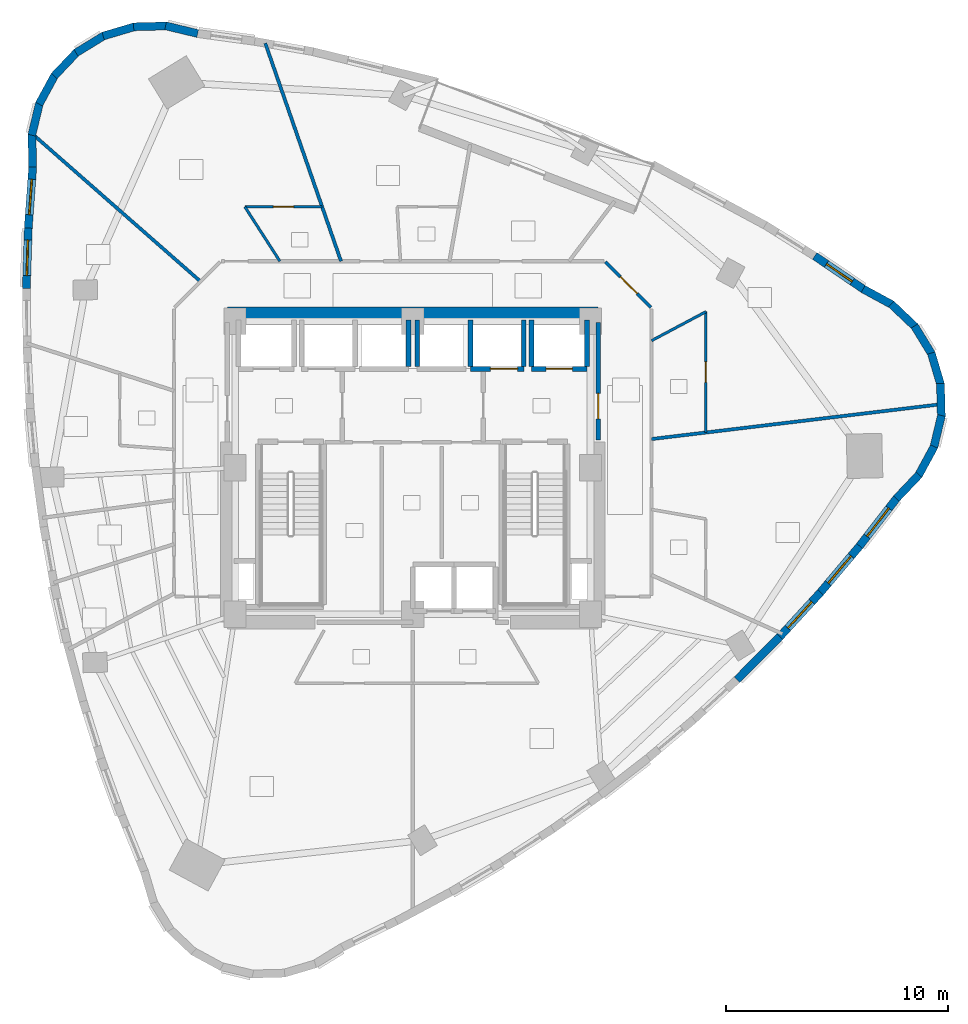
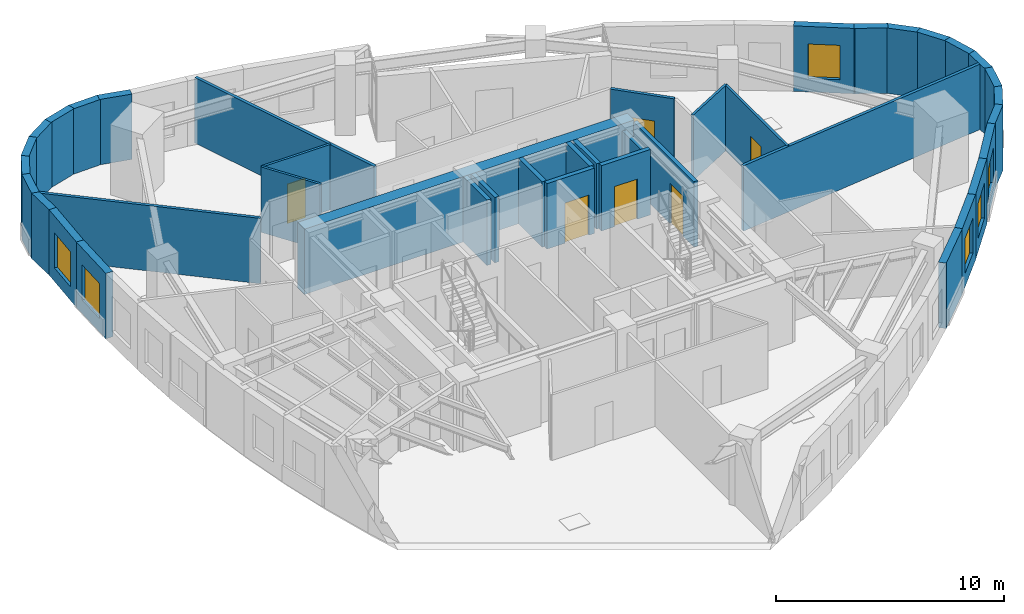
# One storey, part 8 of 12: 41 walls, 6 doors, 6 windows, 12 openings.
"""IFC4 building model written with IfcOpenShell, lengths in metres."""

from ifc_helpers import new_model, si_unit, direction, frame, frame_2d, origin, place, context, subcontext, project, spatial, rectangle, extrude, material, layer, layer_set, type_object, element, fill, save


model = new_model("IFC4")

# Units and contexts
model_context = context("Model", 3, precision=1e-05, world=origin(), true_north=direction((0.0, 1.0)))
body_context = subcontext(model_context, "Body", "Model", "MODEL_VIEW")
ifc_project = project(units=[si_unit("LENGTHUNIT", "METRE"), si_unit("AREAUNIT", "SQUARE_METRE"), si_unit("VOLUMEUNIT", "CUBIC_METRE"), si_unit("PLANEANGLEUNIT", "RADIAN"), si_unit("MASSUNIT", "GRAM", prefix="KILO")], contexts=[model_context])

# Site, building, storey
site_placement = place(None, origin())
site = spatial("IfcSite", under=ifc_project, at=site_placement, CompositionType="ELEMENT")
building_placement = place(site_placement, origin())
building = spatial("IfcBuilding", under=site, at=building_placement, Name="Ndelora Gate Hotel", CompositionType="ELEMENT")
storey_placement = place(building_placement, frame((0.0, 0.0, 161.0)))
storey = spatial("IfcBuildingStorey", under=building, at=storey_placement, Name="L40", CompositionType="ELEMENT", Elevation=161.0)

# Walls
ifc_material_1 = material(Name="Clay Brick Masonry", Category="masonry")
ifc_layer_1 = layer(ifc_material_1, 0.360107421875)
ifc_layer_set_1 = layer_set([ifc_layer_1], Name="Clay Brick Masonry")
wall_type_1 = type_object("IfcWallType", Name="WL-BRICK-360", PredefinedType="SOLIDWALL", material=ifc_layer_set_1)
for number, where, z_axis, x_axis, name in (
    (1, (-11.1298828125, 19.89990234375, 0.0), (0.0, 0.0, 1.0), (0.972361941937, -0.233478594034, 0.0), "L40 Tower Brick Pier-and-Spandrel Wall TWR-1"),
    (2, (-12.56591796875, 19.855712890625, 0.0), (0.0, 0.0, 1.0), (0.999654374037, 0.026289398397, 0.0), "L40 Tower Brick Pier-and-Spandrel Wall TWR-2"),
    (3, (-13.94140625, 19.44140625, 0.0), (0.0, 0.0, 1.0), (0.95879313952, 0.284105113664, 0.0), "L40 Tower Brick Pier-and-Spandrel Wall TWR-3"),
):
    element("IfcWall", number, at=place(storey_placement, frame(where, z_axis=z_axis, x_axis=x_axis)), inside=storey, type_object=wall_type_1, Name=name, PredefinedType="SOLIDWALL", context=body_context, shape_type="SweptSolid", body=[
        extrude(rectangle(XDim=1.48583984375, YDim=0.360107421875, at=frame_2d((0.742919921875, 0.0))), origin(), (0.0, 0.0, 1.0), 3.5),
    ])
wall_1_placement = place(storey_placement, frame((-15.1630859375, 18.685302734375, 0.0), z_axis=(0.0, 0.0, 1.0), x_axis=(0.852672081239, 0.522446477522, 0.0)))
element("IfcWall", 4, at=wall_1_placement, inside=storey, type_object=wall_type_1, Name="L40 Tower Brick Pier-and-Spandrel Wall TWR-4", PredefinedType="SOLIDWALL", context=body_context, shape_type="SweptSolid", body=[
    extrude(rectangle(XDim=1.486083984375, YDim=0.360107421875, at=frame_2d((0.7431640625, 0.0))), origin(), (0.0, 0.0, 1.0), 3.5),
])
wall_2_placement = place(storey_placement, frame((-16.147216796875, 17.638916015625, 0.0), z_axis=(0.0, 0.0, 1.0), x_axis=(0.688377955726, 0.725352183474, 0.0)))
element("IfcWall", 5, at=wall_2_placement, inside=storey, type_object=wall_type_1, Name="L40 Tower Brick Pier-and-Spandrel Wall TWR-5", PredefinedType="SOLIDWALL", context=body_context, shape_type="SweptSolid", body=[
    extrude(rectangle(XDim=1.485595703125, YDim=0.360107421875, at=frame_2d((0.74267578125, 0.0))), origin(), (0.0, 0.0, 1.0), 3.5),
])
for number, where, z_axis, x_axis, name in (
    (6, (-16.826904296875, 16.373046875, 0.0), (0.0, 0.0, 1.0), (0.476997582812, 0.87890460574, 0.0), "L40 Tower Brick Pier-and-Spandrel Wall TWR-6"),
    (7, (-17.156005859375, 14.974609375, 0.0), (0.0, 0.0, 1.0), (0.233323235941, 0.972399232605, 0.0), "L40 Tower Brick Pier-and-Spandrel Wall TWR-7"),
):
    element("IfcWall", number, at=place(storey_placement, frame(where, z_axis=z_axis, x_axis=x_axis)), inside=storey, type_object=wall_type_1, Name=name, PredefinedType="SOLIDWALL", context=body_context, shape_type="SweptSolid", body=[
        extrude(rectangle(XDim=1.48583984375, YDim=0.360107421875, at=frame_2d((0.742919921875, 0.0))), origin(), (0.0, 0.0, 1.0), 3.5),
    ])
wall_3_placement = place(storey_placement, frame((-17.112060546875, 13.538818359375, 0.0), z_axis=(0.0, 0.0, 1.0), x_axis=(-0.026129494011, 0.999658566483, 0.0)))
element("IfcWall", 8, at=wall_3_placement, inside=storey, type_object=wall_type_1, Name="L40 Tower Brick Pier-and-Spandrel Wall TWR-8", PredefinedType="SOLIDWALL", context=body_context, shape_type="SweptSolid", body=[
    extrude(rectangle(XDim=1.485595703125, YDim=0.360107421875, at=frame_2d((0.74267578125, 0.0))), origin(), (0.0, 0.0, 1.0), 3.5),
])

# Wall, opening, window
wall_4_placement = place(storey_placement, frame((-17.314208984375, 10.794921875, 0.0), z_axis=(0.0, 0.0, 1.0), x_axis=(0.072603479606, 0.99736088491, 0.0)))
wall_4 = element("IfcWall", 9, at=wall_4_placement, inside=storey, type_object=wall_type_1, Name="L40 Tower Brick Pier-and-Spandrel Wall TWR-9", PredefinedType="SOLIDWALL", context=body_context, shape_type="SweptSolid", body=[
    extrude(rectangle(XDim=2.801025390625, YDim=0.360107421875, at=frame_2d((1.400390625, 0.0))), origin(), (0.0, 0.0, 1.0), 3.5),
])
opening_1_placement = place(wall_4_placement, frame((0.6005859375, 0.0, 0.719970703125)))
opening_1 = element("IfcOpeningElement", 10, at=opening_1_placement, cuts=wall_4, Name="Opening W03", PredefinedType="OPENING", context=body_context, shape_type="SweptSolid", body=[
    extrude(rectangle(XDim=1.60009765625, YDim=1.8798828125, at=frame_2d((0.800048828125, 0.93994140625))), frame((0.0, 0.18994140625, 0.0), z_axis=(0.0, -1.0, 0.0), x_axis=(1.0, 0.0, 0.0)), (0.0, 0.0, 1.0), 0.380126953125),
])
ifc_material_2 = material(Name="Insulated Low-E Double Glazing in Bronze Aluminium Frame", Category="aluminium")
window_type_1 = type_object("IfcWindowType", Name="WN-CORN-2100", PartitioningType="SINGLE_PANEL", PredefinedType="WINDOW", material=ifc_material_2)
window_1_placement = place(opening_1_placement, origin())
window_1 = element("IfcWindow", 11, at=window_1_placement, inside=storey, type_object=window_type_1, Name="L40 Deep-Set Brick-Pier Window W03", OverallHeight=1.8798828125, OverallWidth=1.60009765625, PartitioningType="SINGLE_PANEL", PredefinedType="WINDOW", context=body_context, shape_type="SweptSolid", body=[
    extrude(rectangle(XDim=1.60009765625, YDim=1.8798828125, at=frame_2d((0.800048828125, 0.93994140625))), frame((0.0, 0.030029296875, 0.0), z_axis=(0.0, -1.0, 0.0), x_axis=(1.0, 0.0, 0.0)), (0.0, 0.0, 1.0), 0.06005859375),
])
fill(opening_1, window_1)

wall_5_placement = place(storey_placement, frame((-17.400146484375, 8.068603515625, 0.0), z_axis=(0.0, 0.0, 1.0), x_axis=(0.031907059623, 0.999490840151, 0.0)))
wall_5 = element("IfcWall", 12, at=wall_5_placement, inside=storey, type_object=wall_type_1, Name="L40 Tower Brick Pier-and-Spandrel Wall TWR-10", PredefinedType="SOLIDWALL", context=body_context, shape_type="SweptSolid", body=[
    extrude(rectangle(XDim=2.777587890625, YDim=0.360107421875, at=frame_2d((1.388671875, 0.0))), origin(), (0.0, 0.0, 1.0), 3.5),
])
opening_2_placement = place(wall_5_placement, frame((0.588623046875, 0.0, 0.719970703125)))
opening_2 = element("IfcOpeningElement", 13, at=opening_2_placement, cuts=wall_5, Name="Opening W01", PredefinedType="OPENING", context=body_context, shape_type="SweptSolid", body=[
    extrude(rectangle(XDim=1.60009765625, YDim=1.8798828125, at=frame_2d((0.800048828125, 0.93994140625))), frame((0.0, 0.18994140625, 0.0), z_axis=(0.0, -1.0, 0.0), x_axis=(1.0, 0.0, 0.0)), (0.0, 0.0, 1.0), 0.380126953125),
])
window_type_2 = type_object("IfcWindowType", Name="WN-DEEP-1600", PartitioningType="SINGLE_PANEL", PredefinedType="WINDOW", material=ifc_material_2)
window_2_placement = place(opening_2_placement, origin())
window_2 = element("IfcWindow", 14, at=window_2_placement, inside=storey, type_object=window_type_2, Name="L40 Deep-Set Brick-Pier Window W01", OverallHeight=1.8798828125, OverallWidth=1.60009765625, PartitioningType="SINGLE_PANEL", PredefinedType="WINDOW", context=body_context, shape_type="SweptSolid", body=[
    extrude(rectangle(XDim=1.60009765625, YDim=1.8798828125, at=frame_2d((0.800048828125, 0.93994140625))), frame((0.0, 0.030029296875, 0.0), z_axis=(0.0, -1.0, 0.0), x_axis=(1.0, 0.0, 0.0)), (0.0, 0.0, 1.0), 0.06005859375),
])
fill(opening_2, window_2)

# Wall
wall_6_placement = place(storey_placement, frame((16.53271484375, -7.605712890625, 0.0), z_axis=(0.0, 0.0, 1.0), x_axis=(-0.706305628683, -0.70790702701, 0.0)))
element("IfcWall", 15, at=wall_6_placement, inside=storey, type_object=wall_type_1, Name="L40 Tower Brick Pier-and-Spandrel Wall TWR-37", PredefinedType="SOLIDWALL", context=body_context, shape_type="SweptSolid", body=[
    extrude(rectangle(XDim=2.744140625, YDim=0.360107421875, at=frame_2d((1.3720703125, 0.0))), origin(), (0.0, 0.0, 1.0), 3.5),
])

# Wall, opening, window
wall_7_placement = place(storey_placement, frame((18.36279296875, -5.609375, 0.0), z_axis=(0.0, 0.0, 1.0), x_axis=(-0.676049215707, -0.73685647038, 0.0)))
wall_7 = element("IfcWall", 16, at=wall_7_placement, inside=storey, type_object=wall_type_1, Name="L40 Tower Brick Pier-and-Spandrel Wall TWR-38", PredefinedType="SOLIDWALL", context=body_context, shape_type="SweptSolid", body=[
    extrude(rectangle(XDim=2.75830078125, YDim=0.360107421875, at=frame_2d((1.379150390625, 0.0))), origin(), (0.0, 0.0, 1.0), 3.5),
])
opening_3_placement = place(wall_7_placement, frame((0.5791015625, 0.0, 0.719970703125)))
opening_3 = element("IfcOpeningElement", 17, at=opening_3_placement, cuts=wall_7, Name="Opening W01", PredefinedType="OPENING", context=body_context, shape_type="SweptSolid", body=[
    extrude(rectangle(XDim=1.60009765625, YDim=1.8798828125, at=frame_2d((0.800048828125, 0.93994140625))), frame((0.0, 0.18994140625, 0.0), z_axis=(0.0, -1.0, 0.0), x_axis=(1.0, 0.0, 0.0)), (0.0, 0.0, 1.0), 0.380126953125),
])
window_3_placement = place(opening_3_placement, origin())
window_3 = element("IfcWindow", 18, at=window_3_placement, inside=storey, type_object=window_type_2, Name="L40 Deep-Set Brick-Pier Window W01", OverallHeight=1.8798828125, OverallWidth=1.60009765625, PartitioningType="SINGLE_PANEL", PredefinedType="WINDOW", context=body_context, shape_type="SweptSolid", body=[
    extrude(rectangle(XDim=1.60009765625, YDim=1.8798828125, at=frame_2d((0.800048828125, 0.93994140625))), frame((0.0, 0.030029296875, 0.0), z_axis=(0.0, -1.0, 0.0), x_axis=(1.0, 0.0, 0.0)), (0.0, 0.0, 1.0), 0.06005859375),
])
fill(opening_3, window_3)

wall_8_placement = place(storey_placement, frame((20.121337890625, -3.5244140625, 0.0), z_axis=(0.0, 0.0, 1.0), x_axis=(-0.645039410349, -0.764149304192, 0.0)))
wall_8 = element("IfcWall", 19, at=wall_8_placement, inside=storey, type_object=wall_type_1, Name="L40 Tower Brick Pier-and-Spandrel Wall TWR-39", PredefinedType="SOLIDWALL", context=body_context, shape_type="SweptSolid", body=[
    extrude(rectangle(XDim=2.77734375, YDim=0.360107421875, at=frame_2d((1.388671875, 0.0))), origin(), (0.0, 0.0, 1.0), 3.5),
])
opening_4_placement = place(wall_8_placement, frame((0.5888671875, 0.0, 0.719970703125)))
opening_4 = element("IfcOpeningElement", 20, at=opening_4_placement, cuts=wall_8, Name="Opening W01", PredefinedType="OPENING", context=body_context, shape_type="SweptSolid", body=[
    extrude(rectangle(XDim=1.60009765625, YDim=1.8798828125, at=frame_2d((0.800048828125, 0.93994140625))), frame((0.0, 0.18994140625, 0.0), z_axis=(0.0, -1.0, 0.0), x_axis=(1.0, 0.0, 0.0)), (0.0, 0.0, 1.0), 0.380126953125),
])
window_4_placement = place(opening_4_placement, origin())
window_4 = element("IfcWindow", 21, at=window_4_placement, inside=storey, type_object=window_type_2, Name="L40 Deep-Set Brick-Pier Window W01", OverallHeight=1.8798828125, OverallWidth=1.60009765625, PartitioningType="SINGLE_PANEL", PredefinedType="WINDOW", context=body_context, shape_type="SweptSolid", body=[
    extrude(rectangle(XDim=1.60009765625, YDim=1.8798828125, at=frame_2d((0.800048828125, 0.93994140625))), frame((0.0, 0.030029296875, 0.0), z_axis=(0.0, -1.0, 0.0), x_axis=(1.0, 0.0, 0.0)), (0.0, 0.0, 1.0), 0.06005859375),
])
fill(opening_4, window_4)

wall_9_placement = place(storey_placement, frame((21.808349609375, -1.35107421875, 0.0), z_axis=(0.0, 0.0, 1.0), x_axis=(-0.613427584593, -0.789750972434, 0.0)))
wall_9 = element("IfcWall", 22, at=wall_9_placement, inside=storey, type_object=wall_type_1, Name="L40 Tower Brick Pier-and-Spandrel Wall TWR-40", PredefinedType="SOLIDWALL", context=body_context, shape_type="SweptSolid", body=[
    extrude(rectangle(XDim=2.801025390625, YDim=0.360107421875, at=frame_2d((1.400390625, 0.0))), origin(), (0.0, 0.0, 1.0), 3.5),
])
opening_5_placement = place(wall_9_placement, frame((0.6005859375, 0.0, 0.719970703125)))
opening_5 = element("IfcOpeningElement", 23, at=opening_5_placement, cuts=wall_9, Name="Opening W01", PredefinedType="OPENING", context=body_context, shape_type="SweptSolid", body=[
    extrude(rectangle(XDim=1.60009765625, YDim=1.8798828125, at=frame_2d((0.800048828125, 0.93994140625))), frame((0.0, 0.18994140625, 0.0), z_axis=(0.0, -1.0, 0.0), x_axis=(1.0, 0.0, 0.0)), (0.0, 0.0, 1.0), 0.380126953125),
])
window_5_placement = place(opening_5_placement, origin())
window_5 = element("IfcWindow", 24, at=window_5_placement, inside=storey, type_object=window_type_2, Name="L40 Deep-Set Brick-Pier Window W01", OverallHeight=1.8798828125, OverallWidth=1.60009765625, PartitioningType="SINGLE_PANEL", PredefinedType="WINDOW", context=body_context, shape_type="SweptSolid", body=[
    extrude(rectangle(XDim=1.60009765625, YDim=1.8798828125, at=frame_2d((0.800048828125, 0.93994140625))), frame((0.0, 0.030029296875, 0.0), z_axis=(0.0, -1.0, 0.0), x_axis=(1.0, 0.0, 0.0)), (0.0, 0.0, 1.0), 0.06005859375),
])
fill(opening_5, window_5)

# Walls
wall_10_placement = place(storey_placement, frame((22.798583984375, -0.311279296875, 0.0), z_axis=(0.0, 0.0, 1.0), x_axis=(-0.688377955726, -0.725352183474, 0.0)))
element("IfcWall", 25, at=wall_10_placement, inside=storey, type_object=wall_type_1, Name="L40 Tower Brick Pier-and-Spandrel Wall TWR-41", PredefinedType="SOLIDWALL", context=body_context, shape_type="SweptSolid", body=[
    extrude(rectangle(XDim=1.485595703125, YDim=0.360107421875, at=frame_2d((0.74267578125, 0.0))), origin(), (0.0, 0.0, 1.0), 3.5),
])
wall_11_placement = place(storey_placement, frame((23.478515625, 0.95458984375, 0.0), z_axis=(0.0, 0.0, 1.0), x_axis=(-0.477124494484, -0.878835716595, 0.0)))
element("IfcWall", 26, at=wall_11_placement, inside=storey, type_object=wall_type_1, Name="L40 Tower Brick Pier-and-Spandrel Wall TWR-42", PredefinedType="SOLIDWALL", context=body_context, shape_type="SweptSolid", body=[
    extrude(rectangle(XDim=1.48583984375, YDim=0.360107421875, at=frame_2d((0.742919921875, 0.0))), origin(), (0.0, 0.0, 1.0), 3.5),
])
for number, where, z_axis, x_axis, name in (
    (27, (23.8076171875, 2.352783203125, 0.0), (0.0, 0.0, 1.0), (-0.23351590147, -0.972352983109, 0.0), "L40 Tower Brick Pier-and-Spandrel Wall TWR-43"),
    (28, (23.763427734375, 3.788818359375, 0.0), (0.0, 0.0, 1.0), (0.026293717191, -0.99965426045, 0.0), "L40 Tower Brick Pier-and-Spandrel Wall TWR-44"),
):
    element("IfcWall", number, at=place(storey_placement, frame(where, z_axis=z_axis, x_axis=x_axis)), inside=storey, type_object=wall_type_1, Name=name, PredefinedType="SOLIDWALL", context=body_context, shape_type="SweptSolid", body=[
        extrude(rectangle(XDim=1.485595703125, YDim=0.360107421875, at=frame_2d((0.74267578125, 0.0))), origin(), (0.0, 0.0, 1.0), 3.5),
    ])
for number, where, z_axis, x_axis, name in (
    (29, (23.34912109375, 5.16455078125, 0.0), (0.0, 0.0, 1.0), (0.284105113664, -0.95879313952, 0.0), "L40 Tower Brick Pier-and-Spandrel Wall TWR-45"),
    (30, (22.593017578125, 6.385986328125, 0.0), (0.0, 0.0, 1.0), (0.522519673624, -0.852627228439, 0.0), "L40 Tower Brick Pier-and-Spandrel Wall TWR-46"),
):
    element("IfcWall", number, at=place(storey_placement, frame(where, z_axis=z_axis, x_axis=x_axis)), inside=storey, type_object=wall_type_1, Name=name, PredefinedType="SOLIDWALL", context=body_context, shape_type="SweptSolid", body=[
        extrude(rectangle(XDim=1.48583984375, YDim=0.360107421875, at=frame_2d((0.742919921875, 0.0))), origin(), (0.0, 0.0, 1.0), 3.5),
    ])
wall_12_placement = place(storey_placement, frame((21.54638671875, 7.370361328125, 0.0), z_axis=(0.0, 0.0, 1.0), x_axis=(0.725348001868, -0.688382361908, 0.0)))
element("IfcWall", 31, at=wall_12_placement, inside=storey, type_object=wall_type_1, Name="L40 Tower Brick Pier-and-Spandrel Wall TWR-47", PredefinedType="SOLIDWALL", context=body_context, shape_type="SweptSolid", body=[
    extrude(rectangle(XDim=1.486083984375, YDim=0.360107421875, at=frame_2d((0.7431640625, 0.0))), origin(), (0.0, 0.0, 1.0), 3.5),
])
wall_13_placement = place(storey_placement, frame((20.28076171875, 8.050048828125, 0.0), z_axis=(0.0, 0.0, 1.0), x_axis=(0.87890460574, -0.476997582812, 0.0)))
element("IfcWall", 32, at=wall_13_placement, inside=storey, type_object=wall_type_1, Name="L40 Tower Brick Pier-and-Spandrel Wall TWR-48", PredefinedType="SOLIDWALL", context=body_context, shape_type="SweptSolid", body=[
    extrude(rectangle(XDim=1.48583984375, YDim=0.360107421875, at=frame_2d((0.742919921875, 0.0))), origin(), (0.0, 0.0, 1.0), 3.5),
])

# Wall, opening, window
wall_14_placement = place(storey_placement, frame((18.097412109375, 9.537353515625, 0.0), z_axis=(0.0, 0.0, 1.0), x_axis=(0.827020963394, -0.562171082596, 0.0)))
wall_14 = element("IfcWall", 33, at=wall_14_placement, inside=storey, type_object=wall_type_1, Name="L40 Tower Brick Pier-and-Spandrel Wall TWR-49", PredefinedType="SOLIDWALL", context=body_context, shape_type="SweptSolid", body=[
    extrude(rectangle(XDim=2.691650390625, YDim=0.360107421875, at=frame_2d((1.345703125, 0.0))), origin(), (0.0, 0.0, 1.0), 3.5),
])
opening_6_placement = place(wall_14_placement, frame((0.645751953125, 0.0, 0.719970703125)))
opening_6 = element("IfcOpeningElement", 34, at=opening_6_placement, cuts=wall_14, Name="Opening W02", PredefinedType="OPENING", context=body_context, shape_type="SweptSolid", body=[
    extrude(rectangle(XDim=1.39990234375, YDim=1.840087890625, at=frame_2d((0.699951171875, 0.919921875))), frame((0.0, 0.18994140625, 0.0), z_axis=(0.0, -1.0, 0.0), x_axis=(1.0, 0.0, 0.0)), (0.0, 0.0, 1.0), 0.380126953125),
])
window_type_3 = type_object("IfcWindowType", Name="WN-DEEP-1400", PartitioningType="SINGLE_PANEL", PredefinedType="WINDOW", material=ifc_material_2)
window_6_placement = place(opening_6_placement, origin())
window_6 = element("IfcWindow", 35, at=window_6_placement, inside=storey, type_object=window_type_3, Name="L40 Deep-Set Brick-Pier Window W02", OverallHeight=1.840087890625, OverallWidth=1.39990234375, PartitioningType="SINGLE_PANEL", PredefinedType="WINDOW", context=body_context, shape_type="SweptSolid", body=[
    extrude(rectangle(XDim=1.39990234375, YDim=1.840087890625, at=frame_2d((0.699951171875, 0.919921875))), frame((0.0, 0.030029296875, 0.0), z_axis=(0.0, -1.0, 0.0), x_axis=(1.0, 0.0, 0.0)), (0.0, 0.0, 1.0), 0.06005859375),
])
fill(opening_6, window_6)

# Wall
ifc_material_3 = material(Name="Concrete C60/75", Category="concrete")
ifc_layer_2 = layer(ifc_material_3, 0.60009765625)
ifc_layer_set_2 = layer_set([ifc_layer_2], Name="Concrete C60/75")
wall_type_2 = type_object("IfcWallType", Name="WL-CORE-600", PredefinedType="SHEAR", material=ifc_layer_set_2)
wall_15_placement = place(storey_placement, frame((-8.35009765625, 6.949951171875, 0.0), z_axis=(0.0, 0.0, 1.0), x_axis=(1.0, 0.0, 0.0)))
element("IfcWall", 36, at=wall_15_placement, inside=storey, type_object=wall_type_2, Name="L40 Core Shear Wall N", PredefinedType="SHEAR", context=body_context, shape_type="SweptSolid", body=[
    extrude(rectangle(XDim=16.7001953125, YDim=0.60009765625, at=frame_2d((8.35009765625, 0.0))), origin(), (0.0, 0.0, 1.0), 3.5),
])

# Wall, opening, door
ifc_material_4 = material(Name="Concrete C40/50", Category="concrete")
ifc_layer_3 = layer(ifc_material_4, 0.199951171875)
ifc_layer_set_3 = layer_set([ifc_layer_3], Name="Concrete C40/50")
wall_type_3 = type_object("IfcWallType", Name="WL-FIRE-200", PredefinedType="PARTITIONING", material=ifc_layer_set_3)
wall_16_placement = place(storey_placement, frame((8.35009765625, 1.25, 0.0), z_axis=(0.0, 0.0, 1.0), x_axis=(0.0, 1.0, 0.0)))
wall_16 = element("IfcWall", 37, at=wall_16_placement, inside=storey, type_object=wall_type_3, Name="L40 Interior Wall IW-2", PredefinedType="PARTITIONING", context=body_context, shape_type="SweptSolid", body=[
    extrude(rectangle(XDim=5.300048828125, YDim=0.199951171875, at=frame_2d((2.64990234375, 0.0))), origin(), (0.0, 0.0, 1.0), 3.5),
])
opening_7_placement = place(wall_16_placement, frame((0.949951171875, 0.0, 0.0)))
opening_7 = element("IfcOpeningElement", 38, at=opening_7_placement, cuts=wall_16, Name="Opening FD1", PredefinedType="OPENING", context=body_context, shape_type="SweptSolid", body=[
    extrude(rectangle(XDim=1.14990234375, YDim=2.14990234375, at=frame_2d((0.574951171875, 1.074951171875))), frame((0.0, 0.10986328125, 0.0), z_axis=(0.0, -1.0, 0.0), x_axis=(1.0, 0.0, 0.0)), (0.0, 0.0, 1.0), 0.219970703125),
])
ifc_material_5 = material(Name="Fire-Rated Timber-Veneer Steel Core", Category="steel")
door_type_1 = type_object("IfcDoorType", Name="DR-FD60", OperationType="SINGLE_SWING_LEFT", PredefinedType="DOOR", material=ifc_material_5)
door_1_placement = place(opening_7_placement, origin())
door_1 = element("IfcDoor", 39, at=door_1_placement, inside=storey, type_object=door_type_1, Name="L40 Firefighting Lobby East Corridor Door", OperationType="SINGLE_SWING_RIGHT", OverallHeight=2.14990234375, OverallWidth=1.14990234375, PredefinedType="DOOR", context=body_context, shape_type="SweptSolid", body=[
    extrude(rectangle(XDim=1.14990234375, YDim=2.14990234375, at=frame_2d((0.574951171875, 1.074951171875))), frame((0.0, 0.02490234375, 0.0), z_axis=(0.0, -1.0, 0.0), x_axis=(1.0, 0.0, 0.0)), (0.0, 0.0, 1.0), 0.050048828125),
])
fill(opening_7, door_1)

ifc_material_6 = material(Name="Fire-Rated Gypsum Stud Partition", Category="gypsum")
ifc_layer_4 = layer(ifc_material_6, 0.14990234375)
ifc_layer_set_4 = layer_set([ifc_layer_4], Name="Fire-Rated Gypsum Stud Partition")
wall_type_4 = type_object("IfcWallType", Name="WL-PART-150", PredefinedType="PARTITIONING", material=ifc_layer_set_4)
wall_17_placement = place(storey_placement, frame((8.67822265625, 9.271728515625, 0.0), z_axis=(0.0, 0.0, 1.0), x_axis=(0.707106781187, -0.707106781187, 0.0)))
wall_17 = element("IfcWall", 40, at=wall_17_placement, inside=storey, type_object=wall_type_4, Name="L40 Interior Wall IW-5", PredefinedType="PARTITIONING", context=body_context, shape_type="SweptSolid", body=[
    extrude(rectangle(XDim=2.889892578125, YDim=0.14990234375, at=frame_2d((1.44482421875, 0.0))), origin(), (0.0, 0.0, 1.0), 3.5),
])
opening_8_placement = place(wall_17_placement, frame((0.954833984375, 0.0, 0.0)))
opening_8 = element("IfcOpeningElement", 41, at=opening_8_placement, cuts=wall_17, Name="Opening D07", PredefinedType="OPENING", context=body_context, shape_type="SweptSolid", body=[
    extrude(rectangle(XDim=1.06005859375, YDim=2.14990234375, at=frame_2d((0.530029296875, 1.074951171875))), frame((0.0, 0.0849609375, 0.0), z_axis=(0.0, -1.0, 0.0), x_axis=(1.0, 0.0, 0.0)), (0.0, 0.0, 1.0), 0.169921875),
])
ifc_material_7 = material(Name="Diplomatic Suite Acoustic Entrance Door", Category="wood")
door_type_2 = type_object("IfcDoorType", Name="DR-SUITE-1060", OperationType="SINGLE_SWING_LEFT", PredefinedType="DOOR", material=ifc_material_7)
door_2_placement = place(opening_8_placement, origin())
door_2 = element("IfcDoor", 42, at=door_2_placement, inside=storey, type_object=door_type_2, Name="L40 Two-Bay Highland Suite 4304 Entrance Door", OperationType="SINGLE_SWING_RIGHT", OverallHeight=2.14990234375, OverallWidth=1.06005859375, PredefinedType="DOOR", context=body_context, shape_type="SweptSolid", body=[
    extrude(rectangle(XDim=1.06005859375, YDim=2.14990234375, at=frame_2d((0.530029296875, 1.074951171875))), frame((0.0, 0.02490234375, 0.0), z_axis=(0.0, -1.0, 0.0), x_axis=(1.0, 0.0, 0.0)), (0.0, 0.0, 1.0), 0.050048828125),
])
fill(opening_8, door_2)

# Walls
wall_18_placement = place(storey_placement, frame((10.75, 1.292236328125, 0.0), z_axis=(0.0, 0.0, 1.0), x_axis=(0.992851215359, 0.119358552939, 0.0)))
element("IfcWall", 43, at=wall_18_placement, inside=storey, type_object=wall_type_4, Name="L40 Interior Wall IW-5", PredefinedType="PARTITIONING", context=body_context, shape_type="SweptSolid", body=[
    extrude(rectangle(XDim=13.1318359375, YDim=0.14990234375, at=frame_2d((6.56591796875, 0.0))), origin(), (0.0, 0.0, 1.0), 3.5),
])
wall_19_placement = place(storey_placement, frame((-3.230224609375, 9.300048828125, 0.0), z_axis=(0.0, 0.0, 1.0), x_axis=(-0.328129858039, 0.944632625026, 0.0)))
element("IfcWall", 44, at=wall_19_placement, inside=storey, type_object=wall_type_4, Name="L40 Interior Wall IW-5", PredefinedType="PARTITIONING", context=body_context, shape_type="SweptSolid", body=[
    extrude(rectangle(XDim=10.396484375, YDim=0.14990234375, at=frame_2d((5.1982421875, 0.0))), origin(), (0.0, 0.0, 1.0), 3.5),
])
wall_20_placement = place(storey_placement, frame((-9.5595703125, 8.390380859375, 0.0), z_axis=(0.0, 0.0, 1.0), x_axis=(-0.751556130323, 0.659669146598, 0.0)))
element("IfcWall", 45, at=wall_20_placement, inside=storey, type_object=wall_type_4, Name="L40 Interior Wall IW-5", PredefinedType="PARTITIONING", context=body_context, shape_type="SweptSolid", body=[
    extrude(rectangle(XDim=10.0859375, YDim=0.14990234375, at=frame_2d((5.04296875, 0.0))), origin(), (0.0, 0.0, 1.0), 3.5),
])

# Wall, opening, door
ifc_layer_5 = layer(ifc_material_4, 0.219970703125)
ifc_layer_set_5 = layer_set([ifc_layer_5], Name="Concrete C40/50")
wall_type_5 = type_object("IfcWallType", Name="WL-SHAFT-220", PredefinedType="PARTITIONING", material=ifc_layer_set_5)
wall_21_placement = place(storey_placement, frame((5.35009765625, 4.449951171875, 0.0), z_axis=(0.0, 0.0, 1.0), x_axis=(1.0, 0.0, 0.0)))
wall_21 = element("IfcWall", 46, at=wall_21_placement, inside=storey, type_object=wall_type_5, Name="L40 Interior Wall IW-1", PredefinedType="PARTITIONING", context=body_context, shape_type="SweptSolid", body=[
    extrude(rectangle(XDim=2.5, YDim=0.219970703125, at=frame_2d((1.25, 0.0))), origin(), (0.0, 0.0, 1.0), 3.5),
])
opening_9_placement = place(wall_21_placement, frame((0.659912109375, 0.0, 0.0)))
opening_9 = element("IfcOpeningElement", 47, at=opening_9_placement, cuts=wall_21, Name="Opening LD5", PredefinedType="OPENING", context=body_context, shape_type="SweptSolid", body=[
    extrude(rectangle(XDim=1.179931640625, YDim=2.14990234375, at=frame_2d((0.58984375, 1.074951171875))), frame((0.0, 0.1201171875, 0.0), z_axis=(0.0, -1.0, 0.0), x_axis=(1.0, 0.0, 0.0)), (0.0, 0.0, 1.0), 0.239990234375),
])
ifc_material_8 = material(Name="Firefighting Lift Stainless Sliding Landing Door", Category="metal")
door_type_3 = type_object("IfcDoorType", Name="DR-LD5", OperationType="DOUBLE_DOOR_SLIDING", PredefinedType="DOOR", material=ifc_material_8)
door_3_placement = place(opening_9_placement, origin())
door_3 = element("IfcDoor", 48, at=door_3_placement, inside=storey, type_object=door_type_3, Name="L40 Lift Landing Sliding Door FFL2", OperationType="DOUBLE_DOOR_SLIDING", OverallHeight=2.14990234375, OverallWidth=1.179931640625, PredefinedType="DOOR", context=body_context, shape_type="SweptSolid", body=[
    extrude(rectangle(XDim=1.179931640625, YDim=2.14990234375, at=frame_2d((0.58984375, 1.074951171875))), frame((0.0, 0.02490234375, 0.0), z_axis=(0.0, -1.0, 0.0), x_axis=(1.0, 0.0, 0.0)), (0.0, 0.0, 1.0), 0.050048828125),
])
fill(opening_9, door_3)

# Walls
wall_22_placement = place(storey_placement, frame((5.35009765625, 4.570068359375, 0.0), z_axis=(0.0, 0.0, 1.0), x_axis=(0.0, 1.0, 0.0)))
element("IfcWall", 49, at=wall_22_placement, inside=storey, type_object=wall_type_5, Name="L40 Interior Wall IW-1", PredefinedType="PARTITIONING", context=body_context, shape_type="SweptSolid", body=[
    extrude(rectangle(XDim=2.079833984375, YDim=0.219970703125, at=frame_2d((1.0400390625, 0.0))), origin(), (0.0, 0.0, 1.0), 3.5),
])
wall_23_placement = place(storey_placement, frame((7.85009765625, 4.570068359375, 0.0), z_axis=(0.0, 0.0, 1.0), x_axis=(0.0, 1.0, 0.0)))
element("IfcWall", 50, at=wall_23_placement, inside=storey, type_object=wall_type_5, Name="L40 Interior Wall IW-1", PredefinedType="PARTITIONING", context=body_context, shape_type="SweptSolid", body=[
    extrude(rectangle(XDim=2.079833984375, YDim=0.219970703125, at=frame_2d((1.0400390625, 0.0))), origin(), (0.0, 0.0, 1.0), 3.1201171875),
])

# Wall, opening, door
wall_24_placement = place(storey_placement, frame((2.60009765625, 4.449951171875, 0.0), z_axis=(0.0, 0.0, 1.0), x_axis=(1.0, 0.0, 0.0)))
wall_24 = element("IfcWall", 51, at=wall_24_placement, inside=storey, type_object=wall_type_5, Name="L40 Interior Wall IW-1", PredefinedType="PARTITIONING", context=body_context, shape_type="SweptSolid", body=[
    extrude(rectangle(XDim=2.39990234375, YDim=0.219970703125, at=frame_2d((1.199951171875, 0.0))), origin(), (0.0, 0.0, 1.0), 3.5),
])
opening_10_placement = place(wall_24_placement, frame((0.89990234375, 0.0, 0.0)))
opening_10 = element("IfcOpeningElement", 52, at=opening_10_placement, cuts=wall_24, Name="Opening LD6", PredefinedType="OPENING", context=body_context, shape_type="SweptSolid", body=[
    extrude(rectangle(XDim=1.219970703125, YDim=2.14990234375, at=frame_2d((0.60986328125, 1.074951171875))), frame((0.0, 0.1201171875, 0.0), z_axis=(0.0, -1.0, 0.0), x_axis=(1.0, 0.0, 0.0)), (0.0, 0.0, 1.0), 0.239990234375),
])
ifc_material_9 = material(Name="Heavy-Duty Service Lift Sliding Landing Door", Category="wood")
door_type_4 = type_object("IfcDoorType", Name="DR-LD6", OperationType="DOUBLE_DOOR_SLIDING", PredefinedType="DOOR", material=ifc_material_9)
door_4_placement = place(opening_10_placement, origin())
door_4 = element("IfcDoor", 53, at=door_4_placement, inside=storey, type_object=door_type_4, Name="L40 Lift Landing Sliding Door SVL2", OperationType="DOUBLE_DOOR_SLIDING", OverallHeight=2.14990234375, OverallWidth=1.219970703125, PredefinedType="DOOR", context=body_context, shape_type="SweptSolid", body=[
    extrude(rectangle(XDim=1.219970703125, YDim=2.14990234375, at=frame_2d((0.60986328125, 1.074951171875))), frame((0.0, 0.02490234375, 0.0), z_axis=(0.0, -1.0, 0.0), x_axis=(1.0, 0.0, 0.0)), (0.0, 0.0, 1.0), 0.050048828125),
])
fill(opening_10, door_4)

# Walls
for number, where, z_axis, x_axis, name in (
    (54, (2.60009765625, 4.570068359375, 0.0), (0.0, 0.0, 1.0), (0.0, 1.0, 0.0), "L40 Interior Wall IW-1"),
    (55, (5.0, 4.570068359375, 0.0), (0.0, 0.0, 1.0), (0.0, 1.0, 0.0), "L40 Interior Wall IW-1"),
    (56, (-0.199951171875, 4.570068359375, 0.0), (0.0, 0.0, 1.0), (0.0, 1.0, 0.0), "L40 Interior Wall IW-1"),
    (57, (0.199951171875, 4.570068359375, 0.0), (0.0, 0.0, 1.0), (0.0, 1.0, 0.0), "L40 Interior Wall IW-1"),
):
    element("IfcWall", number, at=place(storey_placement, frame(where, z_axis=z_axis, x_axis=x_axis)), inside=storey, type_object=wall_type_5, Name=name, PredefinedType="PARTITIONING", context=body_context, shape_type="SweptSolid", body=[
        extrude(rectangle(XDim=2.079833984375, YDim=0.219970703125, at=frame_2d((1.0400390625, 0.0))), origin(), (0.0, 0.0, 1.0), 3.5),
    ])
ifc_material_10 = material(Name="Moisture-Resistant Bathroom Tile Partition", Category="gypsum")
ifc_layer_6 = layer(ifc_material_10, 0.1201171875)
ifc_layer_set_6 = layer_set([ifc_layer_6], Name="Moisture-Resistant Bathroom Tile Partition")
wall_type_6 = type_object("IfcWallType", Name="WL-WET-120", PredefinedType="PARTITIONING", material=ifc_layer_set_6)
wall_25_placement = place(storey_placement, frame((13.199951171875, 7.025634765625, 0.0), z_axis=(0.0, 0.0, 1.0), x_axis=(-0.88275440909, -0.469834708416, 0.0)))
element("IfcWall", 58, at=wall_25_placement, inside=storey, type_object=wall_type_6, Name="L40 Interior Wall IW-7", PredefinedType="PARTITIONING", context=body_context, shape_type="SweptSolid", body=[
    extrude(rectangle(XDim=2.775390625, YDim=0.1201171875, at=frame_2d((1.3876953125, 0.0))), origin(), (0.0, 0.0, 1.0), 3.5),
])

# Wall, opening, door
wall_26_placement = place(storey_placement, frame((13.199951171875, 7.025634765625, 0.0), z_axis=(0.0, 0.0, 1.0), x_axis=(0.0, -1.0, 0.0)))
wall_26 = element("IfcWall", 59, at=wall_26_placement, inside=storey, type_object=wall_type_6, Name="L40 Interior Wall IW-7", PredefinedType="PARTITIONING", context=body_context, shape_type="SweptSolid", body=[
    extrude(rectangle(XDim=5.438720703125, YDim=0.1201171875, at=frame_2d((2.71923828125, 0.0))), origin(), (0.0, 0.0, 1.0), 3.5),
])
opening_11_placement = place(wall_26_placement, frame((2.25927734375, 0.0, 0.0)))
opening_11 = element("IfcOpeningElement", 60, at=opening_11_placement, cuts=wall_26, Name="Opening D03", PredefinedType="OPENING", context=body_context, shape_type="SweptSolid", body=[
    extrude(rectangle(XDim=0.919921875, YDim=2.10009765625, at=frame_2d((0.4599609375, 1.050048828125))), frame((0.0, 0.070068359375, 0.0), z_axis=(0.0, -1.0, 0.0), x_axis=(1.0, 0.0, 0.0)), (0.0, 0.0, 1.0), 0.14013671875),
])
ifc_material_11 = material(Name="Moisture-Resistant Hardwood En-Suite Door", Category="wood")
door_type_5 = type_object("IfcDoorType", Name="DR-BATH-920", OperationType="SINGLE_SWING_LEFT", PredefinedType="DOOR", material=ifc_material_11)
door_5_placement = place(opening_11_placement, origin())
door_5 = element("IfcDoor", 61, at=door_5_placement, inside=storey, type_object=door_type_5, Name="L40 En-suite Bathroom 4304 Door", OperationType="SINGLE_SWING_LEFT", OverallHeight=2.10009765625, OverallWidth=0.919921875, PredefinedType="DOOR", context=body_context, shape_type="SweptSolid", body=[
    extrude(rectangle(XDim=0.919921875, YDim=2.10009765625, at=frame_2d((0.4599609375, 1.050048828125))), frame((0.0, 0.02490234375, 0.0), z_axis=(0.0, -1.0, 0.0), x_axis=(1.0, 0.0, 0.0)), (0.0, 0.0, 1.0), 0.050048828125),
])
fill(opening_11, door_5)

# Wall
wall_27_placement = place(storey_placement, frame((-5.983642578125, 9.300048828125, 0.0), z_axis=(0.0, 0.0, 1.0), x_axis=(-0.541109088666, 0.840952408976, 0.0)))
element("IfcWall", 62, at=wall_27_placement, inside=storey, type_object=wall_type_6, Name="L40 Interior Wall IW-7", PredefinedType="PARTITIONING", context=body_context, shape_type="SweptSolid", body=[
    extrude(rectangle(XDim=2.913330078125, YDim=0.1201171875, at=frame_2d((1.45654296875, 0.0))), origin(), (0.0, 0.0, 1.0), 3.5),
])

# Wall, opening, door
wall_28_placement = place(storey_placement, frame((-7.56005859375, 11.75, 0.0), z_axis=(0.0, 0.0, 1.0), x_axis=(1.0, 0.0, 0.0)))
wall_28 = element("IfcWall", 63, at=wall_28_placement, inside=storey, type_object=wall_type_6, Name="L40 Interior Wall IW-7", PredefinedType="PARTITIONING", context=body_context, shape_type="SweptSolid", body=[
    extrude(rectangle(XDim=3.478759765625, YDim=0.1201171875, at=frame_2d((1.7392578125, 0.0))), origin(), (0.0, 0.0, 1.0), 3.5),
])
opening_12_placement = place(wall_28_placement, frame((1.279296875, 0.0, 0.0)))
opening_12 = element("IfcOpeningElement", 64, at=opening_12_placement, cuts=wall_28, Name="Opening D03", PredefinedType="OPENING", context=body_context, shape_type="SweptSolid", body=[
    extrude(rectangle(XDim=0.919921875, YDim=2.10009765625, at=frame_2d((0.4599609375, 1.050048828125))), frame((0.0, 0.070068359375, 0.0), z_axis=(0.0, -1.0, 0.0), x_axis=(1.0, 0.0, 0.0)), (0.0, 0.0, 1.0), 0.14013671875),
])
door_6_placement = place(opening_12_placement, origin())
door_6 = element("IfcDoor", 65, at=door_6_placement, inside=storey, type_object=door_type_5, Name="L40 En-suite Bathroom 4306 Door", OperationType="SINGLE_SWING_LEFT", OverallHeight=2.10009765625, OverallWidth=0.919921875, PredefinedType="DOOR", context=body_context, shape_type="SweptSolid", body=[
    extrude(rectangle(XDim=0.919921875, YDim=2.10009765625, at=frame_2d((0.4599609375, 1.050048828125))), frame((0.0, 0.02490234375, 0.0), z_axis=(0.0, -1.0, 0.0), x_axis=(1.0, 0.0, 0.0)), (0.0, 0.0, 1.0), 0.050048828125),
])
fill(opening_12, door_6)

save(model, "model.ifc")
